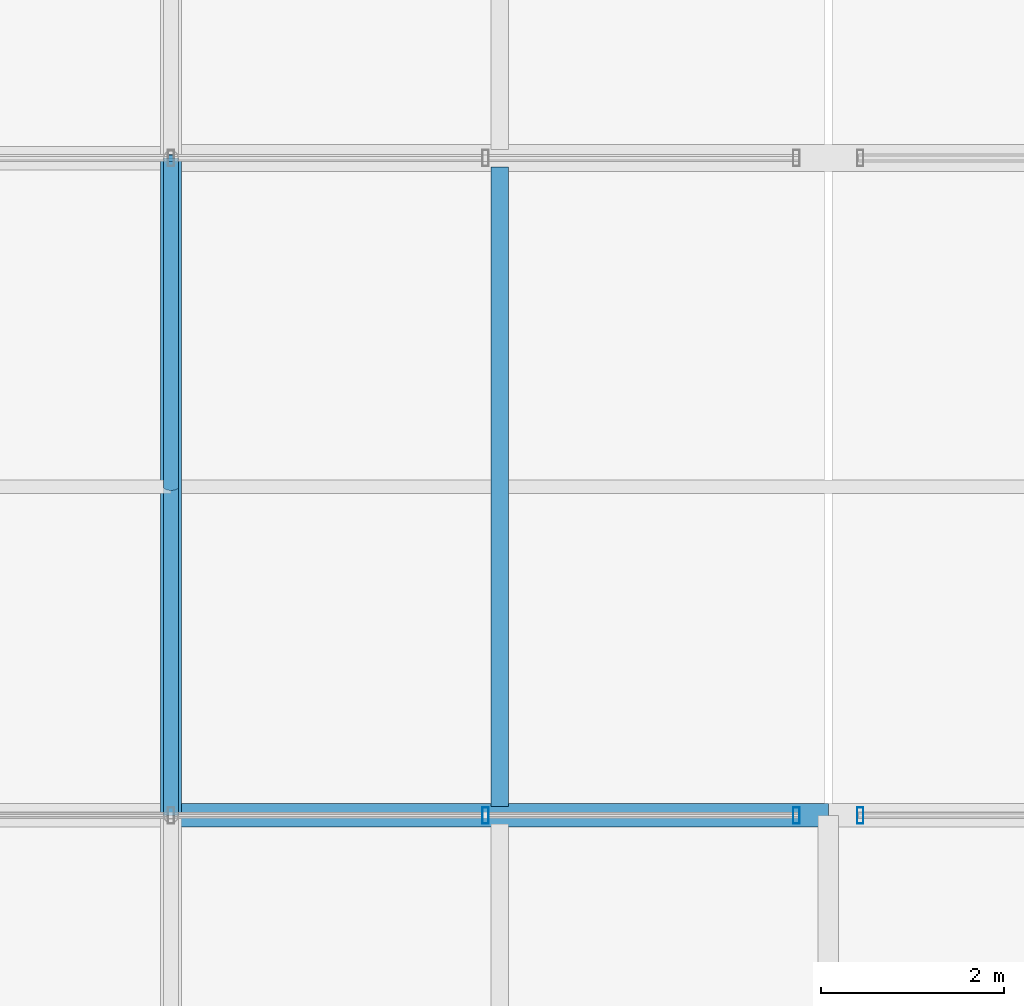
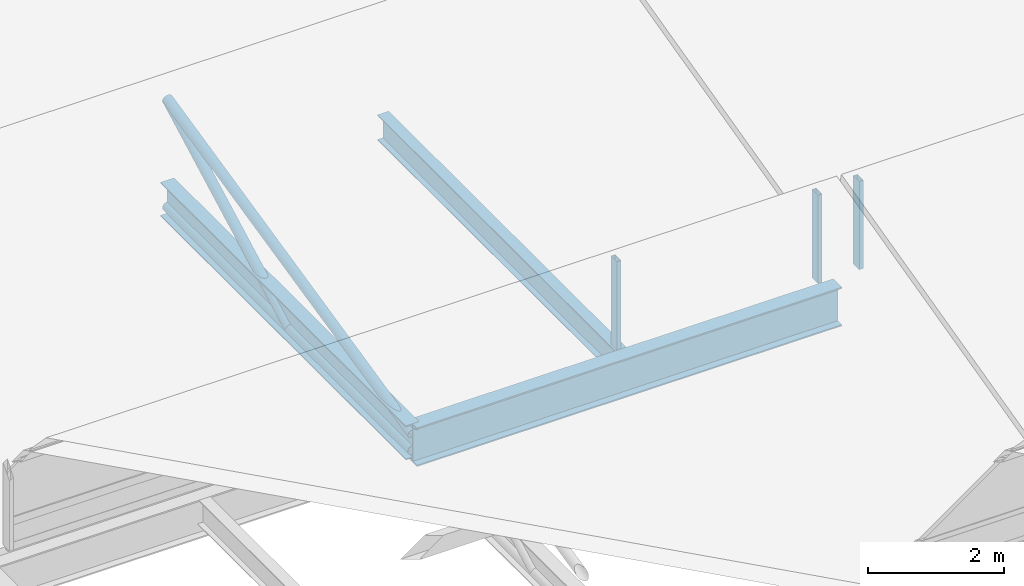
# One storey, part 58 of 144: 6 members, 3 beams, 2 elements without a shape of their own.
"""IFC4 building model written with IfcOpenShell, lengths in metres."""

from ifc_helpers import new_model, si_unit, direction, frame, origin, origin_2d, place, context, subcontext, project, spatial, hollow_rectangle, hollow_circle, i_section, extrude, material, material_profile, profile_set, type_object, element, aggregate, save


model = new_model("IFC4")

# Units and contexts
model_context = context("Model", 3, precision=1e-05, world=origin(), true_north=direction((0.0, 1.0)))
body_context = subcontext(model_context, "Body", "Model", "MODEL_VIEW")
ifc_project = project(units=[si_unit("LENGTHUNIT", "METRE"), si_unit("AREAUNIT", "SQUARE_METRE"), si_unit("VOLUMEUNIT", "CUBIC_METRE"), si_unit("PLANEANGLEUNIT", "RADIAN"), si_unit("MASSUNIT", "GRAM", prefix="KILO")], contexts=[model_context])

# Site, building, storey
site_placement = place(None, origin())
site = spatial("IfcSite", under=ifc_project, at=site_placement, CompositionType="ELEMENT")
building_placement = place(site_placement, origin())
building = spatial("IfcBuilding", under=site, at=building_placement, Name="Yarey Park Central Fire Station", CompositionType="ELEMENT")
storey_placement = place(building_placement, frame((0.0, 0.0, 10.199951171875)))
storey = spatial("IfcBuildingStorey", under=building, at=storey_placement, Name="L03", CompositionType="ELEMENT", Elevation=10.199951171875)

# Curtain wall, members
ifc_material_1 = material(Name="Anodized Aluminium Frame", Category="aluminium")
curtain_wall_type = type_object("IfcCurtainWallType", Name="ENV_CW_SAW_18", PredefinedType="NOTDEFINED", material=ifc_material_1)
curtain_wall_1_placement = place(storey_placement, origin())
curtain_wall_1 = element("IfcCurtainWall", 1, at=curtain_wall_1_placement, inside=storey, type_object=curtain_wall_type, Name="CW_L03_SAW_2_1", PredefinedType="NOTDEFINED")
ifc_material_profile_1 = material_profile(ifc_material_1, hollow_rectangle(XDim=0.070068359375, YDim=0.179931640625, WallThickness=0.00390625, at=origin_2d()), Name="ALU 180x70x4")
ifc_profile_set_1 = profile_set([ifc_material_profile_1], Name="Anodized Aluminium Frame")
member_type_1 = type_object("IfcMemberType", Name="ENV_CW_MULLION", PredefinedType="MULLION", material=ifc_profile_set_1)
member_1_placement = place(storey_placement, frame((150.85009765625, 57.60009765625, 0.0), z_axis=(0.0, 0.0, 1.0), x_axis=(1.0, 0.0, 0.0)))
member_1 = element("IfcMember", 2, at=member_1_placement, type_object=member_type_1, Name="CW_L03_SAW_2_1_MUL1", PredefinedType="MULLION", context=body_context, shape_type="SweptSolid", body=[
    extrude(hollow_rectangle(XDim=0.070068359375, YDim=0.179931640625, WallThickness=0.00390625, at=origin_2d()), origin(), (0.0, 0.0, 1.0), 1.580078125),
])
member_2_placement = place(storey_placement, frame((147.445068359375, 57.60009765625, 0.0), z_axis=(0.0, 0.0, 1.0), x_axis=(1.0, 0.0, 0.0)))
member_2 = element("IfcMember", 3, at=member_2_placement, type_object=member_type_1, Name="CW_L03_SAW_2_1_MUL2", PredefinedType="MULLION", context=body_context, shape_type="SweptSolid", body=[
    extrude(hollow_rectangle(XDim=0.070068359375, YDim=0.179931640625, WallThickness=0.00390625, at=origin_2d()), origin(), (0.0, 0.0, 1.0), 1.580078125),
])
aggregate(curtain_wall_1, [member_1, member_2])

# Curtain wall, member
curtain_wall_2_placement = place(storey_placement, origin())
curtain_wall_2 = element("IfcCurtainWall", 4, at=curtain_wall_2_placement, inside=storey, type_object=curtain_wall_type, Name="CW_L03_SAW_2_2", PredefinedType="NOTDEFINED")
member_3_placement = place(storey_placement, frame((151.550048828125, 57.60009765625, 0.0), z_axis=(0.0, 0.0, 1.0), x_axis=(1.0, 0.0, 0.0)))
member_3 = element("IfcMember", 5, at=member_3_placement, type_object=member_type_1, Name="CW_L03_SAW_2_2_MUL5", PredefinedType="MULLION", context=body_context, shape_type="SweptSolid", body=[
    extrude(hollow_rectangle(XDim=0.070068359375, YDim=0.179931640625, WallThickness=0.00390625, at=origin_2d()), origin(), (0.0, 0.0, 1.0), 1.580078125),
])
aggregate(curtain_wall_2, [member_3])

# Beams
ifc_material_2 = material(Name="Steel ASTM A992 Gr. 50", Category="steel")
ifc_material_profile_2 = material_profile(ifc_material_2, i_section(OverallWidth=0.22900390625, OverallDepth=0.612060546875, WebThickness=0.011962890625, FlangeThickness=0.01953125, at=origin_2d()), Name="W610x125")
ifc_profile_set_2 = profile_set([ifc_material_profile_2], Name="Steel ASTM A992 Gr. 50")
beam_type_1 = type_object("IfcBeamType", Name="STR_BM_W610", PredefinedType="BEAM", material=ifc_profile_set_2)
beam_1_placement = place(storey_placement, frame((144.0, 57.60009765625, -0.48583984375), z_axis=(0.0, 1.0, 0.0), x_axis=(-1.0, 0.0, 0.0)))
element("IfcBeam", 6, at=beam_1_placement, inside=storey, type_object=beam_type_1, Name="BMY L03 X1440 Y576", PredefinedType="BEAM", context=body_context, shape_type="SweptSolid", body=[
    extrude(i_section(OverallWidth=0.22900390625, OverallDepth=0.612060546875, WebThickness=0.011962890625, FlangeThickness=0.01953125, at=origin_2d()), origin(), (0.0, 0.0, 1.0), 7.199951171875),
])
ifc_material_profile_3 = material_profile(ifc_material_2, i_section(OverallWidth=0.256103515625, OverallDepth=0.693115234375, WebThickness=0.014404296875, FlangeThickness=0.023681640625, at=origin_2d()), Name="W690x170")
ifc_profile_set_3 = profile_set([ifc_material_profile_3], Name="Steel ASTM A992 Gr. 50")
beam_type_2 = type_object("IfcBeamType", Name="STR_BM_W690", PredefinedType="BEAM", material=ifc_profile_set_3)
beam_2_placement = place(storey_placement, frame((144.0, 57.60009765625, -0.5263671875), z_axis=(1.0, 0.0, 0.0), x_axis=(0.0, 1.0, 0.0)))
element("IfcBeam", 7, at=beam_2_placement, inside=storey, type_object=beam_type_2, Name="BMX L03 Y576 X1440", PredefinedType="BEAM", context=body_context, shape_type="SweptSolid", body=[
    extrude(i_section(OverallWidth=0.256103515625, OverallDepth=0.693115234375, WebThickness=0.014404296875, FlangeThickness=0.023681640625, at=origin_2d()), origin(), (0.0, 0.0, 1.0), 7.199951171875),
])

# Members
ifc_material_3 = material(Name="Steel ASTM A500 Gr. C", Category="steel")
ifc_material_profile_4 = material_profile(ifc_material_3, hollow_circle(Radius=0.084228515625, WallThickness=0.008056640625, at=origin_2d()), Name="CHS 168.3x8")
ifc_profile_set_4 = profile_set([ifc_material_profile_4], Name="Steel ASTM A500 Gr. C")
member_type_2 = type_object("IfcMemberType", Name="STR_CHORD_CHS168", PredefinedType="CHORD", material=ifc_profile_set_4)
member_4_placement = place(storey_placement, frame((144.0, 57.60009765625, -0.64990234375), z_axis=(0.0, 1.0, 0.0), x_axis=(-1.0, 0.0, 0.0)))
element("IfcMember", 8, at=member_4_placement, inside=storey, type_object=member_type_2, Name="SAW_T2_B3_BC", PredefinedType="CHORD", context=body_context, shape_type="SweptSolid", body=[
    extrude(hollow_circle(Radius=0.084228515625, WallThickness=0.008056640625, at=origin_2d()), origin(), (0.0, 0.0, 1.0), 7.199951171875),
])
member_5_placement = place(storey_placement, frame((144.0, 57.60009765625, -0.349853515625), z_axis=(0.0, 0.975464150349, 0.220158332533), x_axis=(-1.0, 0.0, 0.0)))
element("IfcMember", 9, at=member_5_placement, inside=storey, type_object=member_type_2, Name="SAW_T2_B3_TC", PredefinedType="CHORD", context=body_context, shape_type="SweptSolid", body=[
    extrude(hollow_circle(Radius=0.084228515625, WallThickness=0.008056640625, at=origin_2d()), origin(), (0.0, 0.0, 1.0), 7.381103515625),
])

# Beam
ifc_material_profile_5 = material_profile(ifc_material_2, i_section(OverallWidth=0.18994140625, OverallDepth=0.45703125, WebThickness=0.009033203125, FlangeThickness=0.014404296875, at=origin_2d()), Name="W460x74")
ifc_profile_set_5 = profile_set([ifc_material_profile_5], Name="Steel ASTM A992 Gr. 50")
beam_type_3 = type_object("IfcBeamType", Name="STR_JST_W460", PredefinedType="JOIST", material=ifc_profile_set_5)
beam_3_placement = place(storey_placement, frame((147.60009765625, 57.695068359375, -0.408447265625), z_axis=(0.0, 1.0, 0.0), x_axis=(-1.0, 0.0, 0.0)))
element("IfcBeam", 10, at=beam_3_placement, inside=storey, type_object=beam_type_3, Name="JST L03 X1476 Y576", PredefinedType="JOIST", context=body_context, shape_type="SweptSolid", body=[
    extrude(i_section(OverallWidth=0.18994140625, OverallDepth=0.45703125, WebThickness=0.009033203125, FlangeThickness=0.014404296875, at=origin_2d()), origin(), (0.0, 0.0, 1.0), 7.010009765625),
])

# Member
ifc_material_profile_6 = material_profile(ifc_material_3, hollow_circle(Radius=0.084228515625, WallThickness=0.008056640625, at=origin_2d()), Name="CHS 168.3x8")
ifc_profile_set_6 = profile_set([ifc_material_profile_6], Name="Steel ASTM A500 Gr. C")
member_type_3 = type_object("IfcMemberType", Name="STR_WEB_CHS168", PredefinedType="BRACE", material=ifc_profile_set_6)
member_6_placement = place(storey_placement, frame((144.0, 61.199951171875, -0.64990234375), z_axis=(0.0, 0.881844210833, 0.471540865483), x_axis=(-1.0, 0.0, 0.0)))
element("IfcMember", 11, at=member_6_placement, inside=storey, type_object=member_type_3, Name="SAW_T2_B3_DG", PredefinedType="BRACE", context=body_context, shape_type="SweptSolid", body=[
    extrude(hollow_circle(Radius=0.084228515625, WallThickness=0.008056640625, at=origin_2d()), origin(), (0.0, 0.0, 1.0), 4.08251953125),
])

save(model, "model.ifc")
